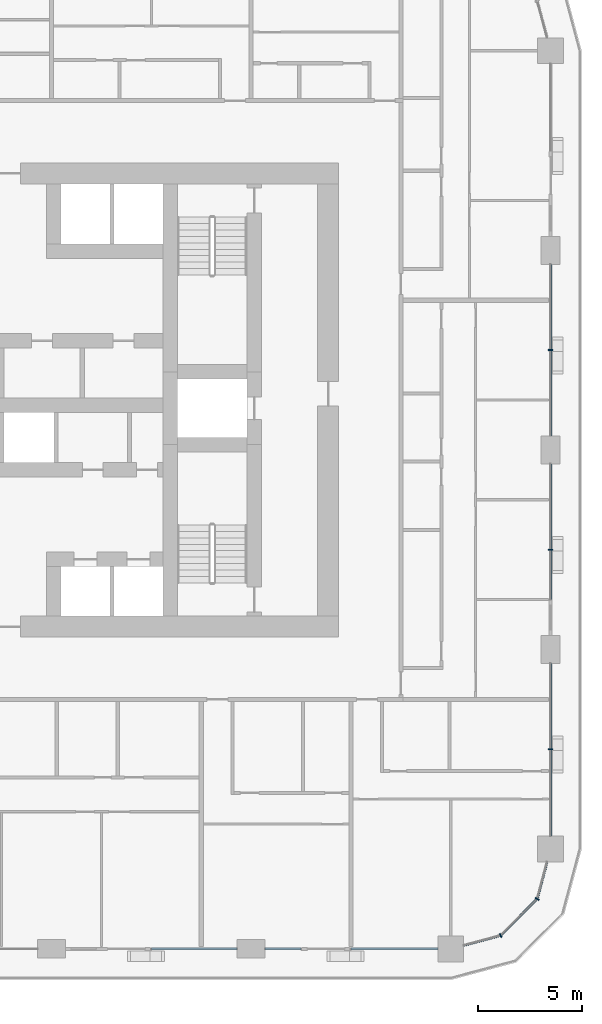
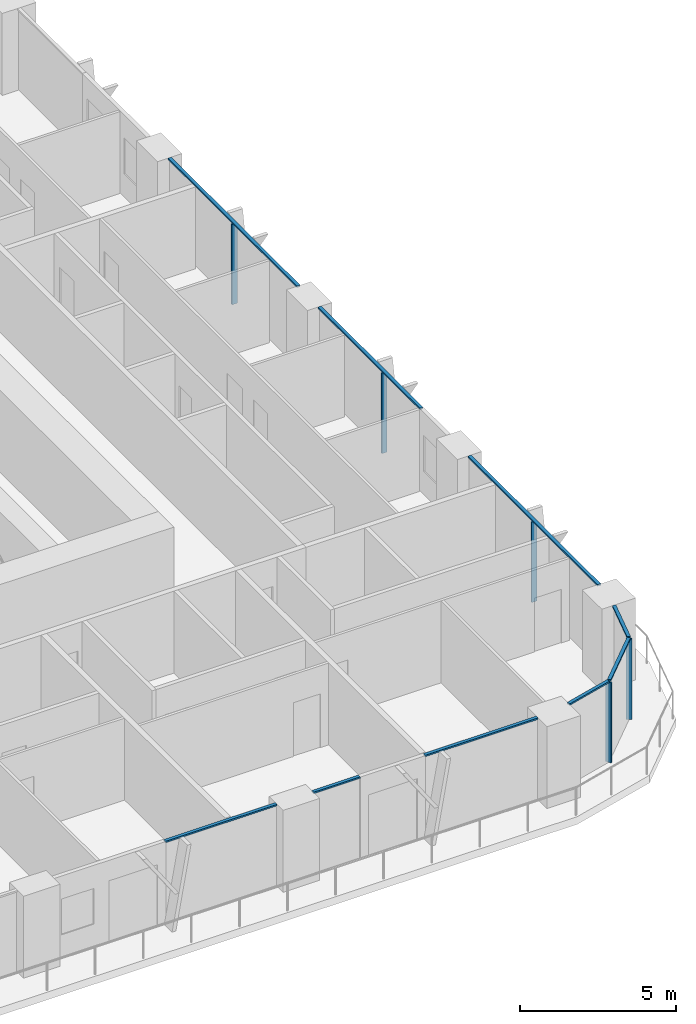
# One storey, part 4 of 21: 14 members, 6 elements without a shape of their own.
"""IFC4 building model written with IfcOpenShell, lengths in metres."""

import ifcopenshell
import ifcopenshell.guid

model = None  # the IFC model being written
_history = None  # IfcOwnerHistory: only IFC2X3 demands one
_inside = {}  # id of a spatial element -> (the spatial element, [elements in it])
_under = {}  # id of a project, library or spatial element -> (it, [spatial elements below it])
_declared = {}  # id of a project -> (the project, [libraries it declares])
_typed = {}  # id of a type object -> (the type object, [elements of that type])
_made_of = {}  # id of a material, layer set ... -> (it, [elements and type objects made of it])


def new_model(schema):
    """Start an empty IFC model of exactly this schema.

    Asked for "IFC4X3", IfcOpenShell would pick the latest addendum, in which some entities
    have other attributes; the version numbers below select the first issue.
    IFC2X3 requires an IfcOwnerHistory on every rooted entity: one is made here for all.
    """
    global model, _history
    if schema == "IFC4X3":
        model = ifcopenshell.file(schema_version=(4, 3, 0, 0))
    else:
        model = ifcopenshell.file(schema=schema)
    _inside.clear()
    _under.clear()
    _declared.clear()
    _typed.clear()
    _made_of.clear()
    _history = None
    if model.schema == "IFC2X3":
        org = make("IfcOrganization", Name="unknown")
        user = make(
            "IfcPersonAndOrganization",
            ThePerson=make("IfcPerson", FamilyName="unknown"),
            TheOrganization=org,
        )
        app = make(
            "IfcApplication",
            ApplicationDeveloper=org,
            Version="unknown",
            ApplicationFullName="unknown",
            ApplicationIdentifier="unknown",
        )
        _history = make(
            "IfcOwnerHistory",
            OwningUser=user,
            OwningApplication=app,
            ChangeAction="ADDED",
            CreationDate=0,
        )
    return model


def make(cls, **values):
    """One entity of the class cls with the attributes given. An attribute that is None is left unset."""
    return model.create_entity(
        cls, **{name: value for name, value in values.items() if value is not None}
    )


def rooted(cls, **values):
    """An entity with a GlobalId (a new one), such as an element, a storey or a relation."""
    return make(cls, GlobalId=ifcopenshell.guid.new(), OwnerHistory=_history, **values)


def si_unit(unit_type, name, prefix=None):
    """IfcSIUnit, for example si_unit("LENGTHUNIT", "METRE", prefix="MILLI")."""
    return make("IfcSIUnit", UnitType=unit_type, Prefix=prefix, Name=name)


def assignment(units):
    """IfcUnitAssignment: the units of a project."""
    return None if units is None else make("IfcUnitAssignment", Units=units)


def point(xyz):
    """IfcCartesianPoint."""
    return None if xyz is None else make("IfcCartesianPoint", Coordinates=xyz)


def direction(xyz):
    """IfcDirection."""
    return None if xyz is None else make("IfcDirection", DirectionRatios=xyz)


def frame(location, z_axis=None, x_axis=None):
    """IfcAxis2Placement3D, a coordinate frame: its origin and axes. An axis left out is left unset."""
    return make(
        "IfcAxis2Placement3D",
        Location=point(location),
        Axis=direction(z_axis),
        RefDirection=direction(x_axis),
    )


def frame_2d(location, x_axis=None):
    """IfcAxis2Placement2D, a coordinate frame in the plane: its origin and x axis."""
    return make(
        "IfcAxis2Placement2D", Location=point(location), RefDirection=direction(x_axis)
    )


def origin():
    """The frame at (0, 0, 0) with its axes left unset."""
    return frame((0.0, 0.0, 0.0))


def origin_2d():
    """The frame at (0, 0) in the plane with its x axis left unset."""
    return frame_2d((0.0, 0.0))


def place(relative_to, where):
    """IfcLocalPlacement: puts the frame where relative to a parent placement (None: the world)."""
    return make(
        "IfcLocalPlacement", PlacementRelTo=relative_to, RelativePlacement=where
    )


def context(
    kind, dimensions, precision=None, world=None, true_north=None, identifier=None
):
    """IfcGeometricRepresentationContext, for example the 3D "Model" context."""
    return make(
        "IfcGeometricRepresentationContext",
        ContextIdentifier=identifier,
        ContextType=kind,
        CoordinateSpaceDimension=dimensions,
        Precision=precision,
        WorldCoordinateSystem=world,
        TrueNorth=true_north,
    )


def subcontext(parent, identifier, kind, view, scale=None):
    """IfcGeometricRepresentationSubContext, for example "Body" below "Model"."""
    return make(
        "IfcGeometricRepresentationSubContext",
        ContextIdentifier=identifier,
        ContextType=kind,
        ParentContext=parent,
        TargetScale=scale,
        TargetView=view,
    )


def project(units=None, contexts=None):
    """IfcProject with its units and contexts."""
    return rooted(
        "IfcProject",
        Name="project",
        RepresentationContexts=contexts,
        UnitsInContext=assignment(units),
    )


def spatial(cls, under=None, at=None, **own):
    """A site, building, storey or space (cls), placed at a placement, below another one or the project."""
    s = rooted(cls, ObjectPlacement=at, **own)
    if under is not None:
        _under.setdefault(under.id(), (under, []))[1].append(s)
    return s


def profile(cls, at=None, kind="AREA", **sizes):
    """A parametric profile (cls). Its sizes go by their IFC names, for example OverallWidth=200.0."""
    return make(cls, ProfileType=kind, Position=at, **sizes)


def rectangle(**sizes):
    """IfcRectangleProfileDef."""
    return profile("IfcRectangleProfileDef", **sizes)


def extrude(swept, where, along, depth):
    """IfcExtrudedAreaSolid: the profile swept, set in the frame where, extruded along a direction by depth."""
    return make(
        "IfcExtrudedAreaSolid",
        SweptArea=swept,
        Position=where,
        ExtrudedDirection=direction(along),
        Depth=depth,
    )


def shape(context_of_items, identifier, shape_type, items):
    """IfcShapeRepresentation: the items that make up one representation, for example the "Body"."""
    return make(
        "IfcShapeRepresentation",
        ContextOfItems=context_of_items,
        RepresentationIdentifier=identifier,
        RepresentationType=shape_type,
        Items=items,
    )


def material(Name=None, Category=None):
    """IfcMaterial."""
    return make("IfcMaterial", Name=Name, Category=Category)


def layer(
    of_material, thickness, ventilated=None, Name=None, Category=None, Priority=None
):
    """IfcMaterialLayer: one layer of a wall or slab, of a material (None: an air gap)."""
    return make(
        "IfcMaterialLayer",
        Material=of_material,
        LayerThickness=thickness,
        IsVentilated=ventilated,
        Name=Name,
        Category=Category,
        Priority=Priority,
    )


def layer_set(layers, Name=None):
    """IfcMaterialLayerSet."""
    return make("IfcMaterialLayerSet", MaterialLayers=layers, LayerSetName=Name)


def material_profile(
    of_material, cross_section, Name=None, Category=None, Priority=None
):
    """IfcMaterialProfile: a cross section and its material."""
    return make(
        "IfcMaterialProfile",
        Name=Name,
        Material=of_material,
        Profile=cross_section,
        Priority=Priority,
        Category=Category,
    )


def profile_set(profiles, Name=None, composite=None):
    """IfcMaterialProfileSet."""
    return make(
        "IfcMaterialProfileSet",
        Name=Name,
        MaterialProfiles=profiles,
        CompositeProfile=composite,
    )


def made_of(thing, what):
    """Note that an element or type object is made of a material, layer set ...; save() writes the relation."""
    if what is not None:
        _made_of.setdefault(what.id(), (what, []))[1].append(thing)
    return thing


def type_object(cls, material=None, **own):
    """A type object (cls), such as IfcWallType, which elements share."""
    return made_of(rooted(cls, **own), material)


def element(
    cls,
    number,
    at=None,
    inside=None,
    cuts=None,
    type_object=None,
    material=None,
    context=None,
    identifier="Body",
    shape_type=None,
    held_by="IfcProductDefinitionShape",
    body=None,
    shapes=None,
    **own,
):
    """One element of the class cls, such as IfcWall. Its Tag is "e" and its number.

    at: its placement. inside: the storey or other place that contains it. cuts: it is an
    opening in that element (IfcRelVoidsElement). A single representation is given by context,
    identifier, shape_type and body (its items); several are given by shapes. held_by: the class
    of the entity that holds the representations. save() writes the other relations.
    """
    e = rooted(cls, Tag="e%d" % number, ObjectPlacement=at, **own)
    if body is not None:
        shapes = [shape(context, identifier, shape_type, body)]
    if shapes is not None:
        e.Representation = make(held_by, Representations=shapes)
    if inside is not None:
        _inside.setdefault(inside.id(), (inside, []))[1].append(e)
    if cuts is not None:
        rooted(
            "IfcRelVoidsElement", RelatingBuildingElement=cuts, RelatedOpeningElement=e
        )
    if type_object is not None:
        _typed.setdefault(type_object.id(), (type_object, []))[1].append(e)
    return made_of(e, material)


def aggregate(whole, parts):
    """IfcRelAggregates: a whole, such as a stair, and the parts it consists of."""
    return rooted("IfcRelAggregates", RelatingObject=whole, RelatedObjects=parts)


def save(model, path):
    """Write the relations noted so far, then the file.

    IfcRelAggregates (storeys below a building ...), IfcRelContainedInSpatialStructure (elements
    in a storey), IfcRelDefinesByType, IfcRelAssociatesMaterial and IfcRelDeclares: one each for
    every whole, place, type object, material and project.
    """
    for whole, parts in _under.values():
        aggregate(whole, parts)
    for where, things in _inside.values():
        rooted(
            "IfcRelContainedInSpatialStructure",
            RelatedElements=things,
            RelatingStructure=where,
        )
    for kind, things in _typed.values():
        rooted("IfcRelDefinesByType", RelatedObjects=things, RelatingType=kind)
    for what, things in _made_of.values():
        rooted("IfcRelAssociatesMaterial", RelatedObjects=things, RelatingMaterial=what)
    for by, libraries in _declared.values():
        rooted("IfcRelDeclares", RelatingContext=by, RelatedDefinitions=libraries)
    model.write(path)


model = new_model("IFC4")

# Units and contexts
model_context = context("Model", 3, precision=1e-05, world=origin(), true_north=direction((0.0, 1.0)))
body_context = subcontext(model_context, "Body", "Model", "MODEL_VIEW")
ifc_project = project(units=[si_unit("LENGTHUNIT", "METRE"), si_unit("AREAUNIT", "SQUARE_METRE"), si_unit("VOLUMEUNIT", "CUBIC_METRE"), si_unit("PLANEANGLEUNIT", "RADIAN"), si_unit("MASSUNIT", "GRAM", prefix="KILO")], contexts=[model_context])

# Site, building, storey
site_placement = place(None, origin())
site = spatial("IfcSite", under=ifc_project, at=site_placement, CompositionType="ELEMENT")
building_placement = place(site_placement, origin())
building = spatial("IfcBuilding", under=site, at=building_placement, Name="Madar Terraces", CompositionType="ELEMENT")
storey_placement = place(building_placement, frame((0.0, 0.0, 36.39990234375)))
storey = spatial("IfcBuildingStorey", under=building, at=storey_placement, Name="L08", CompositionType="ELEMENT", Elevation=36.39990234375)

# Curtain wall, member
ifc_material_1 = material(Name="Glass, ceramic frit dark grey, with black aluminium frame", Category="aluminium")
ifc_layer = layer(ifc_material_1, 0.199951171875)
ifc_layer_set = layer_set([ifc_layer], Name="Facade curtain wall, fritted glass")
curtain_wall_type = type_object("IfcCurtainWallType", Name="Facade curtain wall, fritted glass", PredefinedType="NOTDEFINED", material=ifc_layer_set)
curtain_wall_1_placement = place(storey_placement, origin())
curtain_wall_1 = element("IfcCurtainWall", 1, at=curtain_wall_1_placement, inside=storey, type_object=curtain_wall_type, Name="Outer skin curtain wall east bay 1", PredefinedType="NOTDEFINED")
ifc_material_2 = material(Name="Aluminium, black anodised", Category="aluminium")
ifc_material_profile_1 = material_profile(ifc_material_2, rectangle(XDim=0.199951171875, YDim=0.06005859375, at=origin_2d()), Name="Facade mullion 60x200")
ifc_profile_set_1 = profile_set([ifc_material_profile_1], Name="Aluminium, black anodised")
member_type_1 = type_object("IfcMemberType", Name="Facade mullion 60x200", PredefinedType="MULLION", material=ifc_profile_set_1)
member_1_placement = place(storey_placement, frame((57.60009765625, 9.60009765625, 0.0), z_axis=(0.0, 0.0, 1.0), x_axis=(-1.0, 0.0, 0.0)))
member_1 = element("IfcMember", 2, at=member_1_placement, type_object=member_type_1, Name="Mullion 1", PredefinedType="MULLION", context=body_context, shape_type="SweptSolid", body=[
    extrude(rectangle(XDim=0.199951171875, YDim=0.06005859375, at=origin_2d()), origin(), (0.0, 0.0, 1.0), 3.14013671875),
])

curtain_wall_2_placement = place(storey_placement, origin())
curtain_wall_2 = element("IfcCurtainWall", 3, at=curtain_wall_2_placement, inside=storey, type_object=curtain_wall_type, Name="Outer skin curtain wall east bay 2", PredefinedType="NOTDEFINED")
member_2_placement = place(storey_placement, frame((57.60009765625, 19.199951171875, 0.0), z_axis=(0.0, 0.0, 1.0), x_axis=(-1.0, 0.0, 0.0)))
member_2 = element("IfcMember", 4, at=member_2_placement, type_object=member_type_1, Name="Mullion 1", PredefinedType="MULLION", context=body_context, shape_type="SweptSolid", body=[
    extrude(rectangle(XDim=0.199951171875, YDim=0.06005859375, at=origin_2d()), origin(), (0.0, 0.0, 1.0), 3.14013671875),
])

curtain_wall_3_placement = place(storey_placement, origin())
curtain_wall_3 = element("IfcCurtainWall", 5, at=curtain_wall_3_placement, inside=storey, type_object=curtain_wall_type, Name="Outer skin curtain wall east bay 3", PredefinedType="NOTDEFINED")
member_3_placement = place(storey_placement, frame((57.60009765625, 28.800048828125, 0.0), z_axis=(0.0, 0.0, 1.0), x_axis=(-1.0, 0.0, 0.0)))
member_3 = element("IfcMember", 6, at=member_3_placement, type_object=member_type_1, Name="Mullion 1", PredefinedType="MULLION", context=body_context, shape_type="SweptSolid", body=[
    extrude(rectangle(XDim=0.199951171875, YDim=0.06005859375, at=origin_2d()), origin(), (0.0, 0.0, 1.0), 3.14013671875),
])

# Curtain wall, members
curtain_wall_4_placement = place(storey_placement, origin())
curtain_wall_4 = element("IfcCurtainWall", 7, at=curtain_wall_4_placement, inside=storey, type_object=curtain_wall_type, Name="Outer skin curtain wall south-east corner", PredefinedType="NOTDEFINED")
member_4_placement = place(storey_placement, frame((55.199951171875, 0.64306640625, 0.0), z_axis=(0.0, 0.0, 1.0), x_axis=(-0.499999989586, 0.866025409797, 0.0)))
member_4 = element("IfcMember", 8, at=member_4_placement, type_object=member_type_1, Name="Mullion 1", PredefinedType="MULLION", context=body_context, shape_type="SweptSolid", body=[
    extrude(rectangle(XDim=0.199951171875, YDim=0.06005859375, at=origin_2d()), origin(), (0.0, 0.0, 1.0), 3.14013671875),
])
member_5_placement = place(storey_placement, frame((56.95703125, 2.39990234375, 0.0), z_axis=(0.0, 0.0, 1.0), x_axis=(-0.866025409797, 0.499999989586, 0.0)))
member_5 = element("IfcMember", 9, at=member_5_placement, type_object=member_type_1, Name="Mullion 2", PredefinedType="MULLION", context=body_context, shape_type="SweptSolid", body=[
    extrude(rectangle(XDim=0.199951171875, YDim=0.06005859375, at=origin_2d()), origin(), (0.0, 0.0, 1.0), 3.14013671875),
])

# Curtain wall, member
curtain_wall_5_placement = place(storey_placement, origin())
curtain_wall_5 = element("IfcCurtainWall", 10, at=curtain_wall_5_placement, inside=storey, type_object=curtain_wall_type, Name="Outer skin curtain wall south bay 4", PredefinedType="NOTDEFINED")
ifc_material_3 = material(Name="Aluminium, black anodised", Category="aluminium")
ifc_material_profile_2 = material_profile(ifc_material_3, rectangle(XDim=0.1201171875, YDim=0.06005859375, at=origin_2d()), Name="Facade transom 60x120")
ifc_profile_set_2 = profile_set([ifc_material_profile_2], Name="Aluminium, black anodised")
member_type_2 = type_object("IfcMemberType", Name="Facade transom 60x120", PredefinedType="USERDEFINED", material=ifc_profile_set_2)
member_6_placement = place(storey_placement, frame((38.39990234375, 0.0, 3.170166015625), z_axis=(1.0, 0.0, 0.0), x_axis=(0.0, 1.0, 0.0)))
member_6 = element("IfcMember", 11, at=member_6_placement, type_object=member_type_2, Name="Transom 1", ObjectType="TRANSOM", PredefinedType="USERDEFINED", context=body_context, shape_type="SweptSolid", body=[
    extrude(rectangle(XDim=0.1201171875, YDim=0.06005859375, at=origin_2d()), origin(), (0.0, 0.0, 1.0), 4.125),
])
aggregate(curtain_wall_5, [member_6])

# Curtain wall, members
curtain_wall_6_placement = place(storey_placement, origin())
curtain_wall_6 = element("IfcCurtainWall", 12, at=curtain_wall_6_placement, inside=storey, type_object=curtain_wall_type, Name="Outer skin curtain wall south bay 5", PredefinedType="NOTDEFINED")
member_7_placement = place(storey_placement, frame((43.875, 0.0, 3.170166015625), z_axis=(1.0, 0.0, 0.0), x_axis=(0.0, 1.0, 0.0)))
member_7 = element("IfcMember", 13, at=member_7_placement, type_object=member_type_2, Name="Transom 1", ObjectType="TRANSOM", PredefinedType="USERDEFINED", context=body_context, shape_type="SweptSolid", body=[
    extrude(rectangle(XDim=0.1201171875, YDim=0.06005859375, at=origin_2d()), origin(), (0.0, 0.0, 1.0), 1.72509765625),
])
member_8_placement = place(storey_placement, frame((48.0, 0.0, 3.170166015625), z_axis=(1.0, 0.0, 0.0), x_axis=(0.0, 1.0, 0.0)))
member_8 = element("IfcMember", 14, at=member_8_placement, type_object=member_type_2, Name="Transom 2", ObjectType="TRANSOM", PredefinedType="USERDEFINED", context=body_context, shape_type="SweptSolid", body=[
    extrude(rectangle(XDim=0.1201171875, YDim=0.06005859375, at=origin_2d()), origin(), (0.0, 0.0, 1.0), 4.175048828125),
])
aggregate(curtain_wall_6, [member_7, member_8])

# Member
member_9_placement = place(storey_placement, frame((57.60009765625, 5.425048828125, 3.170166015625), z_axis=(0.0, 1.0, 0.0), x_axis=(-1.0, 0.0, 0.0)))
member_9 = element("IfcMember", 15, at=member_9_placement, type_object=member_type_2, Name="Transom 1", ObjectType="TRANSOM", PredefinedType="USERDEFINED", context=body_context, shape_type="SweptSolid", body=[
    extrude(rectangle(XDim=0.1201171875, YDim=0.06005859375, at=origin_2d()), origin(), (0.0, 0.0, 1.0), 8.300048828125),
])

aggregate(curtain_wall_1, [member_1, member_9])

member_10_placement = place(storey_placement, frame((57.60009765625, 16.800048828125, 3.170166015625), z_axis=(0.0, 1.0, 0.0), x_axis=(-1.0, 0.0, 0.0)))
member_10 = element("IfcMember", 16, at=member_10_placement, type_object=member_type_2, Name="Transom 1", ObjectType="TRANSOM", PredefinedType="USERDEFINED", context=body_context, shape_type="SweptSolid", body=[
    extrude(rectangle(XDim=0.1201171875, YDim=0.06005859375, at=origin_2d()), origin(), (0.0, 0.0, 1.0), 6.52490234375),
])

aggregate(curtain_wall_2, [member_2, member_10])

member_11_placement = place(storey_placement, frame((57.60009765625, 24.675048828125, 3.170166015625), z_axis=(0.0, 1.0, 0.0), x_axis=(-1.0, 0.0, 0.0)))
member_11 = element("IfcMember", 17, at=member_11_placement, type_object=member_type_2, Name="Transom 1", ObjectType="TRANSOM", PredefinedType="USERDEFINED", context=body_context, shape_type="SweptSolid", body=[
    extrude(rectangle(XDim=0.1201171875, YDim=0.06005859375, at=origin_2d()), origin(), (0.0, 0.0, 1.0), 8.25),
])

aggregate(curtain_wall_3, [member_3, member_11])

member_12_placement = place(storey_placement, frame((53.425048828125, 0.16748046875, 3.170166015625), z_axis=(0.965938406667, 0.258772089929, 0.0), x_axis=(-0.258772089929, 0.965938406667, 0.0)))
member_12 = element("IfcMember", 18, at=member_12_placement, type_object=member_type_2, Name="Transom 1", ObjectType="TRANSOM", PredefinedType="USERDEFINED", context=body_context, shape_type="SweptSolid", body=[
    extrude(rectangle(XDim=0.1201171875, YDim=0.06005859375, at=origin_2d()), origin(), (0.0, 0.0, 1.0), 1.8076171875),
])

member_13_placement = place(storey_placement, frame((55.22119140625, 0.664306640625, 3.170166015625), z_axis=(0.707106781187, 0.707106781187, 0.0), x_axis=(-0.707106781187, 0.707106781187, 0.0)))
member_13 = element("IfcMember", 19, at=member_13_placement, type_object=member_type_2, Name="Transom 2", ObjectType="TRANSOM", PredefinedType="USERDEFINED", context=body_context, shape_type="SweptSolid", body=[
    extrude(rectangle(XDim=0.1201171875, YDim=0.06005859375, at=origin_2d()), origin(), (0.0, 0.0, 1.0), 2.4248046875),
])

member_14_placement = place(storey_placement, frame((56.964599609375, 2.428955078125, 3.170166015625), z_axis=(0.258898097903, 0.965904640688, 0.0), x_axis=(-0.965904640688, 0.258898097903, 0.0)))
member_14 = element("IfcMember", 20, at=member_14_placement, type_object=member_type_2, Name="Transom 3", ObjectType="TRANSOM", PredefinedType="USERDEFINED", context=body_context, shape_type="SweptSolid", body=[
    extrude(rectangle(XDim=0.1201171875, YDim=0.06005859375, at=origin_2d()), origin(), (0.0, 0.0, 1.0), 1.8076171875),
])

aggregate(curtain_wall_4, [member_4, member_12, member_5, member_13, member_14])

save(model, "model.ifc")
